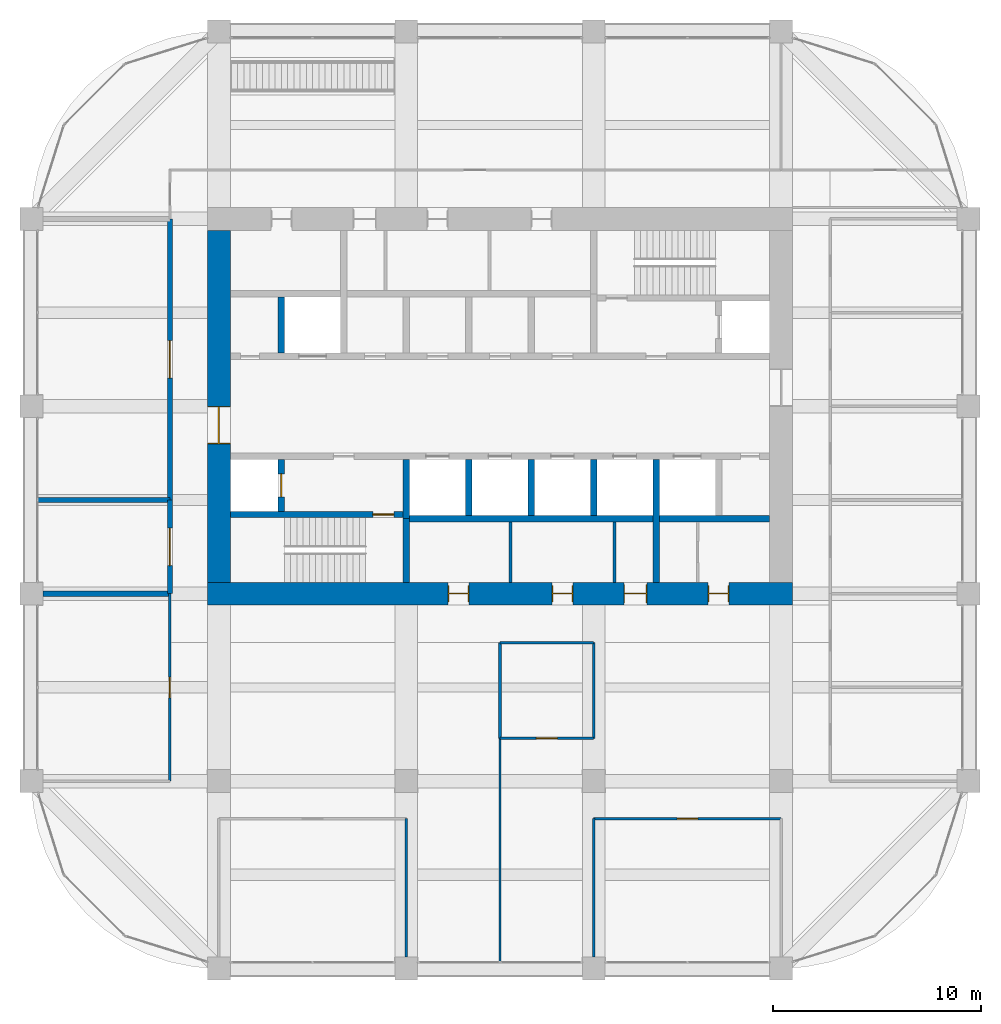
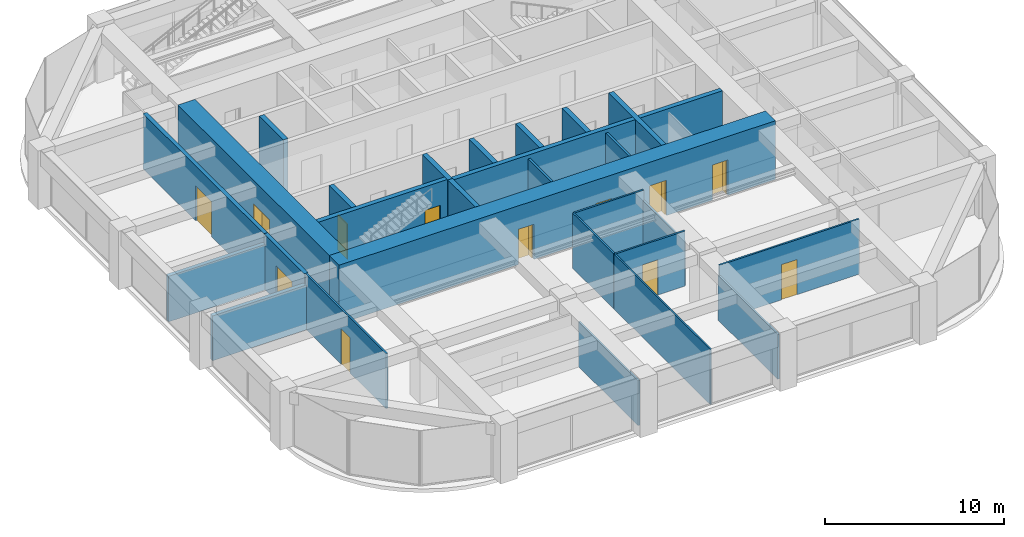
# One storey, part 41 of 44: 27 walls, 12 doors, 12 openings.
"""IFC4 building model written with IfcOpenShell, lengths in metres."""

from ifc_helpers import new_model, si_unit, direction, frame, frame_2d, origin, place, context, subcontext, project, spatial, rectangle, extrude, material, layer, layer_set, type_object, element, fill, save


model = new_model("IFC4")

# Units and contexts
model_context = context("Model", 3, precision=1e-05, world=origin(), true_north=direction((0.0, 1.0)))
body_context = subcontext(model_context, "Body", "Model", "MODEL_VIEW")
ifc_project = project(units=[si_unit("LENGTHUNIT", "METRE"), si_unit("AREAUNIT", "SQUARE_METRE"), si_unit("VOLUMEUNIT", "CUBIC_METRE"), si_unit("PLANEANGLEUNIT", "RADIAN"), si_unit("MASSUNIT", "GRAM", prefix="KILO")], contexts=[model_context])

# Site, building, storey
site_placement = place(None, origin())
site = spatial("IfcSite", under=ifc_project, at=site_placement, CompositionType="ELEMENT")
building_placement = place(site_placement, origin())
building = spatial("IfcBuilding", under=site, at=building_placement, Name="Zorevar Civic Tower", CompositionType="ELEMENT")
storey_placement = place(building_placement, frame((0.0, 0.0, 271.39990234375)))
storey = spatial("IfcBuildingStorey", under=building, at=storey_placement, Name="L66", CompositionType="ELEMENT", Elevation=271.39990234375)

# Walls
ifc_material_1 = material(Name="Twin-stud acoustic wall, gypsum board")
ifc_layer_1 = layer(ifc_material_1, 0.25)
ifc_layer_set_1 = layer_set([ifc_layer_1], Name="Acoustic wall 250")
wall_type_1 = type_object("IfcWallType", Name="Acoustic wall 250", PredefinedType="PARTITIONING", material=ifc_layer_set_1)
wall_1_placement = place(storey_placement, frame((9.550048828125, 18.0, 0.0), z_axis=(0.0, 0.0, 1.0), x_axis=(1.0, 0.0, 0.0)))
element("IfcWall", 1, at=wall_1_placement, inside=storey, type_object=wall_type_1, Name="Acoustic wall 250 L66", PredefinedType="PARTITIONING", context=body_context, shape_type="SweptSolid", body=[
    extrude(rectangle(XDim=6.099853515625, YDim=0.25, at=frame_2d((3.0498046875, 0.0))), origin(), (0.0, 0.0, 1.0), 3.050048828125),
])
wall_2_placement = place(storey_placement, frame((9.31005859375, 22.5, 0.0), z_axis=(0.0, 0.0, 1.0), x_axis=(1.0, 0.0, 0.0)))
element("IfcWall", 2, at=wall_2_placement, inside=storey, type_object=wall_type_1, Name="Acoustic wall 250 L66", PredefinedType="PARTITIONING", context=body_context, shape_type="SweptSolid", body=[
    extrude(rectangle(XDim=6.33984375, YDim=0.25, at=frame_2d((3.169921875, 0.0))), origin(), (0.0, 0.0, 1.0), 3.10009765625),
])

# Wall, opening, door
wall_3_placement = place(storey_placement, frame((15.64990234375, 18.0, 0.0), z_axis=(0.0, 0.0, 1.0), x_axis=(0.0, 1.0, 0.0)))
wall_3 = element("IfcWall", 3, at=wall_3_placement, inside=storey, type_object=wall_type_1, Name="Acoustic wall 250 L66", PredefinedType="PARTITIONING", context=body_context, shape_type="SweptSolid", body=[
    extrude(rectangle(XDim=4.5, YDim=0.25, at=frame_2d((2.25, 0.0))), origin(), (0.0, 0.0, 1.0), 3.75),
])
opening_1_placement = place(wall_3_placement, frame((1.35009765625, 0.0, 0.0)))
opening_1 = element("IfcOpeningElement", 4, at=opening_1_placement, cuts=wall_3, Name="Opening L66.22", PredefinedType="OPENING", context=body_context, shape_type="SweptSolid", body=[
    extrude(rectangle(XDim=1.800048828125, YDim=2.39990234375, at=frame_2d((0.89990234375, 1.199951171875))), frame((0.0, 0.135009765625, 0.0), z_axis=(0.0, -1.0, 0.0), x_axis=(1.0, 0.0, 0.0)), (0.0, 0.0, 1.0), 0.27001953125),
])
ifc_material_2 = material(Name="Steel door set", Category="steel")
door_type_1 = type_object("IfcDoorType", Name="Door D2 1800x2400", OperationType="DOUBLE_DOOR_SINGLE_SWING", PredefinedType="DOOR", material=ifc_material_2)
door_1_placement = place(opening_1_placement, origin())
door_1 = element("IfcDoor", 5, at=door_1_placement, inside=storey, type_object=door_type_1, Name="Door L66 D1", OperationType="DOUBLE_DOOR_SINGLE_SWING", OverallHeight=2.39990234375, OverallWidth=1.800048828125, PredefinedType="DOOR", context=body_context, shape_type="SweptSolid", body=[
    extrude(rectangle(XDim=1.800048828125, YDim=2.39990234375, at=frame_2d((0.89990234375, 1.199951171875))), frame((0.0, 0.02490234375, 0.0), z_axis=(0.0, -1.0, 0.0), x_axis=(1.0, 0.0, 0.0)), (0.0, 0.0, 1.0), 0.050048828125),
])
fill(opening_1, door_1)

wall_4_placement = place(storey_placement, frame((15.64990234375, 22.5, 0.0), z_axis=(0.0, 0.0, 1.0), x_axis=(0.0, 1.0, 0.0)))
wall_4 = element("IfcWall", 6, at=wall_4_placement, inside=storey, type_object=wall_type_1, Name="Acoustic wall 250 L66", PredefinedType="PARTITIONING", context=body_context, shape_type="SweptSolid", body=[
    extrude(rectangle(XDim=13.5, YDim=0.25, at=frame_2d((6.75, 0.0))), origin(), (0.0, 0.0, 1.0), 3.75),
])
opening_2_placement = place(wall_4_placement, frame((5.85009765625, 0.0, 0.0)))
opening_2 = element("IfcOpeningElement", 7, at=opening_2_placement, cuts=wall_4, Name="Opening L66.23", PredefinedType="OPENING", context=body_context, shape_type="SweptSolid", body=[
    extrude(rectangle(XDim=1.800048828125, YDim=2.39990234375, at=frame_2d((0.89990234375, 1.199951171875))), frame((0.0, 0.135009765625, 0.0), z_axis=(0.0, -1.0, 0.0), x_axis=(1.0, 0.0, 0.0)), (0.0, 0.0, 1.0), 0.27001953125),
])
door_2_placement = place(opening_2_placement, origin())
door_2 = element("IfcDoor", 8, at=door_2_placement, inside=storey, type_object=door_type_1, Name="Door L66 D1", OperationType="DOUBLE_DOOR_SINGLE_SWING", OverallHeight=2.39990234375, OverallWidth=1.800048828125, PredefinedType="DOOR", context=body_context, shape_type="SweptSolid", body=[
    extrude(rectangle(XDim=1.800048828125, YDim=2.39990234375, at=frame_2d((0.89990234375, 1.199951171875))), frame((0.0, 0.02490234375, 0.0), z_axis=(0.0, -1.0, 0.0), x_axis=(1.0, 0.0, 0.0)), (0.0, 0.0, 1.0), 0.050048828125),
])
fill(opening_2, door_2)

# Wall, openings, doors
ifc_material_3 = material(Name="Concrete C50/60", Category="concrete")
ifc_layer_2 = layer(ifc_material_3, 1.10009765625)
ifc_layer_set_2 = layer_set([ifc_layer_2], Name="Core wall 1100")
wall_type_2 = type_object("IfcWallType", Name="Core wall 1100", PredefinedType="SHEAR", material=ifc_layer_set_2)
wall_5_placement = place(storey_placement, frame((17.449951171875, 18.0, 0.0), z_axis=(0.0, 0.0, 1.0), x_axis=(1.0, 0.0, 0.0)))
wall_5 = element("IfcWall", 9, at=wall_5_placement, inside=storey, type_object=wall_type_2, Name="Core wall S L66", PredefinedType="SHEAR", context=body_context, shape_type="SweptSolid", body=[
    extrude(rectangle(XDim=28.10009765625, YDim=1.10009765625, at=frame_2d((14.050048828125, 0.0))), origin(), (0.0, 0.0, 1.0), 4.0),
])
opening_3_placement = place(wall_5_placement, frame((11.550048828125, 0.0, 0.0)))
opening_3 = element("IfcOpeningElement", 10, at=opening_3_placement, cuts=wall_5, Name="Opening L66.03", PredefinedType="OPENING", context=body_context, shape_type="SweptSolid", body=[
    extrude(rectangle(XDim=1.0, YDim=2.39990234375, at=frame_2d((0.5, 1.199951171875))), frame((0.0, 0.56005859375, 0.0), z_axis=(0.0, -1.0, 0.0), x_axis=(1.0, 0.0, 0.0)), (0.0, 0.0, 1.0), 1.1201171875),
])
opening_4_placement = place(wall_5_placement, frame((16.550048828125, 0.0, 0.0)))
opening_4 = element("IfcOpeningElement", 11, at=opening_4_placement, cuts=wall_5, Name="Opening L66.04", PredefinedType="OPENING", context=body_context, shape_type="SweptSolid", body=[
    extrude(rectangle(XDim=1.0, YDim=2.39990234375, at=frame_2d((0.5, 1.199951171875))), frame((0.0, 0.56005859375, 0.0), z_axis=(0.0, -1.0, 0.0), x_axis=(1.0, 0.0, 0.0)), (0.0, 0.0, 1.0), 1.1201171875),
])
opening_5_placement = place(wall_5_placement, frame((20.0, 0.0, 0.0)))
opening_5 = element("IfcOpeningElement", 12, at=opening_5_placement, cuts=wall_5, Name="Opening L66.05", PredefinedType="OPENING", context=body_context, shape_type="SweptSolid", body=[
    extrude(rectangle(XDim=1.10009765625, YDim=2.39990234375, at=frame_2d((0.550048828125, 1.199951171875))), frame((0.0, 0.56005859375, 0.0), z_axis=(0.0, -1.0, 0.0), x_axis=(1.0, 0.0, 0.0)), (0.0, 0.0, 1.0), 1.1201171875),
])
opening_6_placement = place(wall_5_placement, frame((24.050048828125, 0.0, 0.0)))
opening_6 = element("IfcOpeningElement", 13, at=opening_6_placement, cuts=wall_5, Name="Opening L66.06", PredefinedType="OPENING", context=body_context, shape_type="SweptSolid", body=[
    extrude(rectangle(XDim=1.0, YDim=2.39990234375, at=frame_2d((0.5, 1.199951171875))), frame((0.0, 0.56005859375, 0.0), z_axis=(0.0, -1.0, 0.0), x_axis=(1.0, 0.0, 0.0)), (0.0, 0.0, 1.0), 1.1201171875),
])
ifc_material_4 = material(Name="Timber door set", Category="wood")
door_type_2 = type_object("IfcDoorType", Name="Door D1 1000x2400", OperationType="SINGLE_SWING_LEFT", PredefinedType="DOOR", material=ifc_material_4)
door_3_placement = place(opening_3_placement, origin())
door_3 = element("IfcDoor", 14, at=door_3_placement, inside=storey, type_object=door_type_2, Name="Door L66 02", OperationType="SINGLE_SWING_LEFT", OverallHeight=2.39990234375, OverallWidth=1.0, PredefinedType="DOOR", context=body_context, shape_type="SweptSolid", body=[
    extrude(rectangle(XDim=1.0, YDim=2.39990234375, at=frame_2d((0.5, 1.199951171875))), frame((0.0, 0.02490234375, 0.0), z_axis=(0.0, -1.0, 0.0), x_axis=(1.0, 0.0, 0.0)), (0.0, 0.0, 1.0), 0.050048828125),
    extrude(rectangle(XDim=0.04, YDim=2.39990234375, at=frame_2d((0.02001953125, 1.199951171875))), frame((0.0, 0.39990234375, 0.0), z_axis=(0.0, -1.0, 0.0), x_axis=(1.0, 0.0, 0.0)), (0.0, 0.0, 1.0), 0.800048828125),
    extrude(rectangle(XDim=0.04, YDim=2.39990234375, at=frame_2d((0.97998046875, 1.199951171875))), frame((0.0, 0.39990234375, 0.0), z_axis=(0.0, -1.0, 0.0), x_axis=(1.0, 0.0, 0.0)), (0.0, 0.0, 1.0), 0.800048828125),
    extrude(rectangle(XDim=1.0, YDim=0.04, at=frame_2d((0.5, 2.3798828125))), frame((0.0, 0.39990234375, 0.0), z_axis=(0.0, -1.0, 0.0), x_axis=(1.0, 0.0, 0.0)), (0.0, 0.0, 1.0), 0.800048828125),
])
fill(opening_3, door_3)
door_4_placement = place(opening_4_placement, origin())
door_4 = element("IfcDoor", 15, at=door_4_placement, inside=storey, type_object=door_type_2, Name="Door L66 03", OperationType="SINGLE_SWING_RIGHT", OverallHeight=2.39990234375, OverallWidth=1.0, PredefinedType="DOOR", context=body_context, shape_type="SweptSolid", body=[
    extrude(rectangle(XDim=1.0, YDim=2.39990234375, at=frame_2d((0.5, 1.199951171875))), frame((0.0, 0.02490234375, 0.0), z_axis=(0.0, -1.0, 0.0), x_axis=(1.0, 0.0, 0.0)), (0.0, 0.0, 1.0), 0.050048828125),
    extrude(rectangle(XDim=0.04, YDim=2.39990234375, at=frame_2d((0.02001953125, 1.199951171875))), frame((0.0, 0.39990234375, 0.0), z_axis=(0.0, -1.0, 0.0), x_axis=(1.0, 0.0, 0.0)), (0.0, 0.0, 1.0), 0.800048828125),
    extrude(rectangle(XDim=0.04, YDim=2.39990234375, at=frame_2d((0.97998046875, 1.199951171875))), frame((0.0, 0.39990234375, 0.0), z_axis=(0.0, -1.0, 0.0), x_axis=(1.0, 0.0, 0.0)), (0.0, 0.0, 1.0), 0.800048828125),
    extrude(rectangle(XDim=1.0, YDim=0.04, at=frame_2d((0.5, 2.3798828125))), frame((0.0, 0.39990234375, 0.0), z_axis=(0.0, -1.0, 0.0), x_axis=(1.0, 0.0, 0.0)), (0.0, 0.0, 1.0), 0.800048828125),
])
fill(opening_4, door_4)
door_5_placement = place(opening_6_placement, origin())
door_5 = element("IfcDoor", 16, at=door_5_placement, inside=storey, type_object=door_type_2, Name="Door L66 05", OperationType="SINGLE_SWING_RIGHT", OverallHeight=2.39990234375, OverallWidth=1.0, PredefinedType="DOOR", context=body_context, shape_type="SweptSolid", body=[
    extrude(rectangle(XDim=1.0, YDim=2.39990234375, at=frame_2d((0.5, 1.199951171875))), frame((0.0, 0.02490234375, 0.0), z_axis=(0.0, -1.0, 0.0), x_axis=(1.0, 0.0, 0.0)), (0.0, 0.0, 1.0), 0.050048828125),
    extrude(rectangle(XDim=0.04, YDim=2.39990234375, at=frame_2d((0.02001953125, 1.199951171875))), frame((0.0, 0.39990234375, 0.0), z_axis=(0.0, -1.0, 0.0), x_axis=(1.0, 0.0, 0.0)), (0.0, 0.0, 1.0), 0.800048828125),
    extrude(rectangle(XDim=0.04, YDim=2.39990234375, at=frame_2d((0.97998046875, 1.199951171875))), frame((0.0, 0.39990234375, 0.0), z_axis=(0.0, -1.0, 0.0), x_axis=(1.0, 0.0, 0.0)), (0.0, 0.0, 1.0), 0.800048828125),
    extrude(rectangle(XDim=1.0, YDim=0.04, at=frame_2d((0.5, 2.3798828125))), frame((0.0, 0.39990234375, 0.0), z_axis=(0.0, -1.0, 0.0), x_axis=(1.0, 0.0, 0.0)), (0.0, 0.0, 1.0), 0.800048828125),
])
fill(opening_6, door_5)
ifc_material_5 = material(Name="Timber door set", Category="wood")
door_type_3 = type_object("IfcDoorType", Name="Door D5 1100x2400", OperationType="SINGLE_SWING_LEFT", PredefinedType="DOOR", material=ifc_material_5)
door_6_placement = place(opening_5_placement, origin())
door_6 = element("IfcDoor", 17, at=door_6_placement, inside=storey, type_object=door_type_3, Name="Door L66 04", OperationType="SINGLE_SWING_RIGHT", OverallHeight=2.39990234375, OverallWidth=1.10009765625, PredefinedType="DOOR", context=body_context, shape_type="SweptSolid", body=[
    extrude(rectangle(XDim=1.10009765625, YDim=2.39990234375, at=frame_2d((0.550048828125, 1.199951171875))), frame((0.0, 0.02490234375, 0.0), z_axis=(0.0, -1.0, 0.0), x_axis=(1.0, 0.0, 0.0)), (0.0, 0.0, 1.0), 0.050048828125),
    extrude(rectangle(XDim=0.04, YDim=2.39990234375, at=frame_2d((0.02001953125, 1.199951171875))), frame((0.0, 0.43994140625, 0.0), z_axis=(0.0, -1.0, 0.0), x_axis=(1.0, 0.0, 0.0)), (0.0, 0.0, 1.0), 0.880126953125),
    extrude(rectangle(XDim=0.04, YDim=2.39990234375, at=frame_2d((1.080078125, 1.199951171875))), frame((0.0, 0.43994140625, 0.0), z_axis=(0.0, -1.0, 0.0), x_axis=(1.0, 0.0, 0.0)), (0.0, 0.0, 1.0), 0.880126953125),
    extrude(rectangle(XDim=1.10009765625, YDim=0.04, at=frame_2d((0.550048828125, 2.3798828125))), frame((0.0, 0.43994140625, 0.0), z_axis=(0.0, -1.0, 0.0), x_axis=(1.0, 0.0, 0.0)), (0.0, 0.0, 1.0), 0.880126953125),
])
fill(opening_5, door_6)

# Wall, opening, door
wall_6_placement = place(storey_placement, frame((18.0, 35.449951171875, 0.0), z_axis=(0.0, 0.0, 1.0), x_axis=(0.0, -1.0, 0.0)))
wall_6 = element("IfcWall", 18, at=wall_6_placement, inside=storey, type_object=wall_type_2, Name="Core wall W L66", PredefinedType="SHEAR", context=body_context, shape_type="SweptSolid", body=[
    extrude(rectangle(XDim=16.89990234375, YDim=1.10009765625, at=frame_2d((8.449951171875, 0.0))), origin(), (0.0, 0.0, 1.0), 4.0),
])
opening_7_placement = place(wall_6_placement, frame((8.449951171875, 0.0, 0.0)))
opening_7 = element("IfcOpeningElement", 19, at=opening_7_placement, cuts=wall_6, Name="Opening L66.01", PredefinedType="OPENING", context=body_context, shape_type="SweptSolid", body=[
    extrude(rectangle(XDim=1.800048828125, YDim=2.39990234375, at=frame_2d((0.89990234375, 1.199951171875))), frame((0.0, 0.56005859375, 0.0), z_axis=(0.0, -1.0, 0.0), x_axis=(1.0, 0.0, 0.0)), (0.0, 0.0, 1.0), 1.1201171875),
])
ifc_material_6 = material(Name="Steel door set", Category="steel")
door_type_4 = type_object("IfcDoorType", Name="Fire door FD2 1800x2400", OperationType="DOUBLE_DOOR_DOUBLE_SWING", PredefinedType="DOOR", material=ifc_material_6)
door_7_placement = place(opening_7_placement, origin())
door_7 = element("IfcDoor", 20, at=door_7_placement, inside=storey, type_object=door_type_4, Name="Door L66 00", OperationType="DOUBLE_DOOR_DOUBLE_SWING", OverallHeight=2.39990234375, OverallWidth=1.800048828125, PredefinedType="DOOR", context=body_context, shape_type="SweptSolid", body=[
    extrude(rectangle(XDim=1.800048828125, YDim=2.39990234375, at=frame_2d((0.89990234375, 1.199951171875))), frame((0.0, 0.030029296875, 0.0), z_axis=(0.0, -1.0, 0.0), x_axis=(1.0, 0.0, 0.0)), (0.0, 0.0, 1.0), 0.06005859375),
    extrude(rectangle(XDim=0.04, YDim=2.39990234375, at=frame_2d((0.02001953125, 1.199951171875))), frame((0.0, 0.5498046875, 0.0), z_axis=(0.0, -1.0, 0.0), x_axis=(1.0, 0.0, 0.0)), (0.0, 0.0, 1.0), 1.099609375),
    extrude(rectangle(XDim=0.04, YDim=2.39990234375, at=frame_2d((1.780029296875, 1.199951171875))), frame((0.0, 0.5498046875, 0.0), z_axis=(0.0, -1.0, 0.0), x_axis=(1.0, 0.0, 0.0)), (0.0, 0.0, 1.0), 1.099609375),
    extrude(rectangle(XDim=1.800048828125, YDim=0.04, at=frame_2d((0.89990234375, 2.3798828125))), frame((0.0, 0.5498046875, 0.0), z_axis=(0.0, -1.0, 0.0), x_axis=(1.0, 0.0, 0.0)), (0.0, 0.0, 1.0), 1.099609375),
])
fill(opening_7, door_7)

# Wall
ifc_material_7 = material(Name="Laminated glass in black aluminium frame", Category="aluminium")
ifc_layer_3 = layer(ifc_material_7, 0.10009765625)
ifc_layer_set_3 = layer_set([ifc_layer_3], Name="Glazed partition 100")
wall_type_3 = type_object("IfcWallType", Name="Glazed partition 100", PredefinedType="PARTITIONING", material=ifc_layer_set_3)
wall_7_placement = place(storey_placement, frame((31.5, 0.31005859375, 0.0), z_axis=(0.0, 0.0, 1.0), x_axis=(0.0, 1.0, 0.0)))
element("IfcWall", 21, at=wall_7_placement, inside=storey, type_object=wall_type_3, Name="Glazed partition 100 L66", PredefinedType="PARTITIONING", context=body_context, shape_type="SweptSolid", body=[
    extrude(rectangle(XDim=10.739990234375, YDim=0.10009765625, at=frame_2d((5.3701171875, 0.0))), origin(), (0.0, 0.0, 1.0), 3.75),
])

# Wall, opening, door
ifc_material_8 = material(Name="Concrete C40/50", Category="concrete")
ifc_layer_4 = layer(ifc_material_8, 0.300048828125)
ifc_layer_set_4 = layer_set([ifc_layer_4], Name="Inner core wall 300")
wall_type_4 = type_object("IfcWallType", Name="Inner core wall 300", PredefinedType="SHEAR", material=ifc_layer_set_4)
wall_8_placement = place(storey_placement, frame((18.550048828125, 21.800048828125, 0.0), z_axis=(0.0, 0.0, 1.0), x_axis=(1.0, 0.0, 0.0)))
wall_8 = element("IfcWall", 22, at=wall_8_placement, inside=storey, type_object=wall_type_4, Name="Inner core wall S00 L66", PredefinedType="SHEAR", context=body_context, shape_type="SweptSolid", body=[
    extrude(rectangle(XDim=8.300048828125, YDim=0.300048828125, at=frame_2d((4.14990234375, 0.0))), origin(), (0.0, 0.0, 1.0), 4.0),
])
opening_8_placement = place(wall_8_placement, frame((6.85009765625, 0.0, 0.0)))
opening_8 = element("IfcOpeningElement", 23, at=opening_8_placement, cuts=wall_8, Name="Opening L66.11", PredefinedType="OPENING", context=body_context, shape_type="SweptSolid", body=[
    extrude(rectangle(XDim=1.0, YDim=2.39990234375, at=frame_2d((0.5, 1.199951171875))), frame((0.0, 0.159912109375, 0.0), z_axis=(0.0, -1.0, 0.0), x_axis=(1.0, 0.0, 0.0)), (0.0, 0.0, 1.0), 0.320068359375),
])
ifc_material_9 = material(Name="Steel door set", Category="steel")
door_type_5 = type_object("IfcDoorType", Name="Fire door FD1 1000x2400", OperationType="SINGLE_SWING_LEFT", PredefinedType="DOOR", material=ifc_material_9)
door_8_placement = place(opening_8_placement, origin())
door_8 = element("IfcDoor", 24, at=door_8_placement, inside=storey, type_object=door_type_5, Name="Door L66 10", OperationType="SINGLE_SWING_RIGHT", OverallHeight=2.39990234375, OverallWidth=1.0, PredefinedType="DOOR", context=body_context, shape_type="SweptSolid", body=[
    extrude(rectangle(XDim=1.0, YDim=2.39990234375, at=frame_2d((0.5, 1.199951171875))), frame((0.0, 0.030029296875, 0.0), z_axis=(0.0, -1.0, 0.0), x_axis=(1.0, 0.0, 0.0)), (0.0, 0.0, 1.0), 0.06005859375),
])
fill(opening_8, door_8)

# Wall
wall_9_placement = place(storey_placement, frame((27.0, 18.550048828125, 0.0), z_axis=(0.0, 0.0, 1.0), x_axis=(0.0, 1.0, 0.0)))
element("IfcWall", 25, at=wall_9_placement, inside=storey, type_object=wall_type_4, Name="Inner core wall S01 L66", PredefinedType="SHEAR", context=body_context, shape_type="SweptSolid", body=[
    extrude(rectangle(XDim=3.050048828125, YDim=0.300048828125, at=frame_2d((1.52490234375, 0.0))), origin(), (0.0, 0.0, 1.0), 4.0),
])

# Wall, opening, door
wall_10_placement = place(storey_placement, frame((21.0, 21.949951171875, 0.0), z_axis=(0.0, 0.0, 1.0), x_axis=(0.0, 1.0, 0.0)))
wall_10 = element("IfcWall", 26, at=wall_10_placement, inside=storey, type_object=wall_type_4, Name="Inner core wall S02 L66", PredefinedType="SHEAR", context=body_context, shape_type="SweptSolid", body=[
    extrude(rectangle(XDim=2.5, YDim=0.300048828125, at=frame_2d((1.25, 0.0))), origin(), (0.0, 0.0, 1.0), 4.0),
])
opening_9_placement = place(wall_10_placement, frame((0.699951171875, 0.0, 0.0)))
opening_9 = element("IfcOpeningElement", 27, at=opening_9_placement, cuts=wall_10, Name="Opening L66.FL1", PredefinedType="OPENING", context=body_context, shape_type="SweptSolid", body=[
    extrude(rectangle(XDim=1.10009765625, YDim=2.39990234375, at=frame_2d((0.550048828125, 1.199951171875))), frame((0.0, 0.159912109375, 0.0), z_axis=(0.0, -1.0, 0.0), x_axis=(1.0, 0.0, 0.0)), (0.0, 0.0, 1.0), 0.320068359375),
])
ifc_material_10 = material(Name="Steel door set", Category="steel")
door_type_6 = type_object("IfcDoorType", Name="Firefighting lift landing door LD3 1100x2400", OperationType="DOUBLE_DOOR_SLIDING", PredefinedType="DOOR", material=ifc_material_10)
door_9_placement = place(opening_9_placement, origin())
door_9 = element("IfcDoor", 28, at=door_9_placement, inside=storey, type_object=door_type_6, Name="Landing door FL1 L66", OperationType="DOUBLE_DOOR_SLIDING", OverallHeight=2.39990234375, OverallWidth=1.10009765625, PredefinedType="DOOR", context=body_context, shape_type="SweptSolid", body=[
    extrude(rectangle(XDim=1.10009765625, YDim=2.39990234375, at=frame_2d((0.550048828125, 1.199951171875))), frame((0.0, 0.030029296875, 0.0), z_axis=(0.0, -1.0, 0.0), x_axis=(1.0, 0.0, 0.0)), (0.0, 0.0, 1.0), 0.06005859375),
])
fill(opening_9, door_9)

# Walls
wall_11_placement = place(storey_placement, frame((27.14990234375, 21.60009765625, 0.0), z_axis=(0.0, 0.0, 1.0), x_axis=(1.0, 0.0, 0.0)))
element("IfcWall", 29, at=wall_11_placement, inside=storey, type_object=wall_type_4, Name="Inner core wall S04 L66", PredefinedType="SHEAR", context=body_context, shape_type="SweptSolid", body=[
    extrude(rectangle(XDim=17.300048828125, YDim=0.300048828125, at=frame_2d((8.64990234375, 0.0))), origin(), (0.0, 0.0, 1.0), 4.0),
])
for number, where, z_axis, x_axis, name in (
    (30, (30.0, 21.75, 0.0), (0.0, 0.0, 1.0), (0.0, 1.0, 0.0), "Inner core wall S05 L66"),
    (31, (33.0, 21.75, 0.0), (0.0, 0.0, 1.0), (0.0, 1.0, 0.0), "Inner core wall S06 L66"),
    (32, (36.0, 21.75, 0.0), (0.0, 0.0, 1.0), (0.0, 1.0, 0.0), "Inner core wall S07 L66"),
):
    element("IfcWall", number, at=place(storey_placement, frame(where, z_axis=z_axis, x_axis=x_axis)), inside=storey, type_object=wall_type_4, Name=name, PredefinedType="SHEAR", context=body_context, shape_type="SweptSolid", body=[
        extrude(rectangle(XDim=2.699951171875, YDim=0.300048828125, at=frame_2d((1.35009765625, 0.0))), origin(), (0.0, 0.0, 1.0), 4.0),
    ])
wall_12_placement = place(storey_placement, frame((39.0, 18.550048828125, 0.0), z_axis=(0.0, 0.0, 1.0), x_axis=(0.0, 1.0, 0.0)))
element("IfcWall", 33, at=wall_12_placement, inside=storey, type_object=wall_type_4, Name="Inner core wall S08 L66", PredefinedType="SHEAR", context=body_context, shape_type="SweptSolid", body=[
    extrude(rectangle(XDim=5.89990234375, YDim=0.300048828125, at=frame_2d((2.949951171875, 0.0))), origin(), (0.0, 0.0, 1.0), 4.0),
])
wall_13_placement = place(storey_placement, frame((21.0, 29.550048828125, 0.0), z_axis=(0.0, 0.0, 1.0), x_axis=(0.0, 1.0, 0.0)))
element("IfcWall", 34, at=wall_13_placement, inside=storey, type_object=wall_type_4, Name="Inner core wall N09 L66", PredefinedType="SHEAR", context=body_context, shape_type="SweptSolid", body=[
    extrude(rectangle(XDim=2.699951171875, YDim=0.300048828125, at=frame_2d((1.35009765625, 0.0))), origin(), (0.0, 0.0, 1.0), 4.0),
])
wall_14_placement = place(storey_placement, frame((27.0, 21.60009765625, 0.0), z_axis=(0.0, 0.0, 1.0), x_axis=(0.0, 1.0, 0.0)))
element("IfcWall", 35, at=wall_14_placement, inside=storey, type_object=wall_type_4, Name="Inner core wall S10 L66", PredefinedType="SHEAR", context=body_context, shape_type="SweptSolid", body=[
    extrude(rectangle(XDim=2.849853515625, YDim=0.300048828125, at=frame_2d((1.4248046875, 0.0))), origin(), (0.0, 0.0, 1.0), 4.0),
])

# Wall, opening, door
ifc_material_11 = material(Name="Gypsum board on steel studs", Category="steel")
ifc_layer_5 = layer(ifc_material_11, 0.1201171875)
ifc_layer_set_5 = layer_set([ifc_layer_5], Name="Partition 120")
wall_type_5 = type_object("IfcWallType", Name="Partition 120", PredefinedType="PARTITIONING", material=ifc_layer_set_5)
wall_15_placement = place(storey_placement, frame((36.0, 7.199951171875, 0.0), z_axis=(0.0, 0.0, 1.0), x_axis=(1.0, 0.0, 0.0)))
wall_15 = element("IfcWall", 36, at=wall_15_placement, inside=storey, type_object=wall_type_5, Name="Partition 120 L66", PredefinedType="PARTITIONING", context=body_context, shape_type="SweptSolid", body=[
    extrude(rectangle(XDim=9.0, YDim=0.1201171875, at=frame_2d((4.5, 0.0))), origin(), (0.0, 0.0, 1.0), 3.75),
])
opening_10_placement = place(wall_15_placement, frame((4.0, 0.0, 0.0)))
opening_10 = element("IfcOpeningElement", 37, at=opening_10_placement, cuts=wall_15, Name="Opening L66.18", PredefinedType="OPENING", context=body_context, shape_type="SweptSolid", body=[
    extrude(rectangle(XDim=1.0, YDim=2.39990234375, at=frame_2d((0.5, 1.199951171875))), frame((0.0, 0.070068359375, 0.0), z_axis=(0.0, -1.0, 0.0), x_axis=(1.0, 0.0, 0.0)), (0.0, 0.0, 1.0), 0.14013671875),
])
door_10_placement = place(opening_10_placement, origin())
door_10 = element("IfcDoor", 38, at=door_10_placement, inside=storey, type_object=door_type_2, Name="Door L66 D1", OperationType="SINGLE_SWING_RIGHT", OverallHeight=2.39990234375, OverallWidth=1.0, PredefinedType="DOOR", context=body_context, shape_type="SweptSolid", body=[
    extrude(rectangle(XDim=1.0, YDim=2.39990234375, at=frame_2d((0.5, 1.199951171875))), frame((0.0, 0.02490234375, 0.0), z_axis=(0.0, -1.0, 0.0), x_axis=(1.0, 0.0, 0.0)), (0.0, 0.0, 1.0), 0.050048828125),
])
fill(opening_10, door_10)

wall_16_placement = place(storey_placement, frame((31.5, 11.050048828125, 0.0), z_axis=(0.0, 0.0, 1.0), x_axis=(1.0, 0.0, 0.0)))
wall_16 = element("IfcWall", 39, at=wall_16_placement, inside=storey, type_object=wall_type_5, Name="Partition 120 L66", PredefinedType="PARTITIONING", context=body_context, shape_type="SweptSolid", body=[
    extrude(rectangle(XDim=4.5, YDim=0.1201171875, at=frame_2d((2.25, 0.0))), origin(), (0.0, 0.0, 1.0), 3.75),
])
opening_11_placement = place(wall_16_placement, frame((1.75, 0.0, 0.0)))
opening_11 = element("IfcOpeningElement", 40, at=opening_11_placement, cuts=wall_16, Name="Opening L66.19", PredefinedType="OPENING", context=body_context, shape_type="SweptSolid", body=[
    extrude(rectangle(XDim=1.0, YDim=2.39990234375, at=frame_2d((0.5, 1.199951171875))), frame((0.0, 0.070068359375, 0.0), z_axis=(0.0, -1.0, 0.0), x_axis=(1.0, 0.0, 0.0)), (0.0, 0.0, 1.0), 0.14013671875),
])
door_11_placement = place(opening_11_placement, origin())
door_11 = element("IfcDoor", 41, at=door_11_placement, inside=storey, type_object=door_type_2, Name="Door L66 D1", OperationType="SINGLE_SWING_LEFT", OverallHeight=2.39990234375, OverallWidth=1.0, PredefinedType="DOOR", context=body_context, shape_type="SweptSolid", body=[
    extrude(rectangle(XDim=1.0, YDim=2.39990234375, at=frame_2d((0.5, 1.199951171875))), frame((0.0, 0.02490234375, 0.0), z_axis=(0.0, -1.0, 0.0), x_axis=(1.0, 0.0, 0.0)), (0.0, 0.0, 1.0), 0.050048828125),
])
fill(opening_11, door_11)

# Wall
wall_17_placement = place(storey_placement, frame((31.5, 15.64990234375, 0.0), z_axis=(0.0, 0.0, 1.0), x_axis=(1.0, 0.0, 0.0)))
element("IfcWall", 42, at=wall_17_placement, inside=storey, type_object=wall_type_5, Name="Partition 120 L66", PredefinedType="PARTITIONING", context=body_context, shape_type="SweptSolid", body=[
    extrude(rectangle(XDim=4.5, YDim=0.1201171875, at=frame_2d((2.25, 0.0))), origin(), (0.0, 0.0, 1.0), 3.75),
])

# Wall, opening, door
wall_18_placement = place(storey_placement, frame((15.64990234375, 9.0, 0.0), z_axis=(0.0, 0.0, 1.0), x_axis=(0.0, 1.0, 0.0)))
wall_18 = element("IfcWall", 43, at=wall_18_placement, inside=storey, type_object=wall_type_5, Name="Partition 120 L66", PredefinedType="PARTITIONING", context=body_context, shape_type="SweptSolid", body=[
    extrude(rectangle(XDim=9.0, YDim=0.1201171875, at=frame_2d((4.5, 0.0))), origin(), (0.0, 0.0, 1.0), 3.75),
])
opening_12_placement = place(wall_18_placement, frame((4.0, 0.0, 0.0)))
opening_12 = element("IfcOpeningElement", 44, at=opening_12_placement, cuts=wall_18, Name="Opening L66.24", PredefinedType="OPENING", context=body_context, shape_type="SweptSolid", body=[
    extrude(rectangle(XDim=1.0, YDim=2.39990234375, at=frame_2d((0.5, 1.199951171875))), frame((0.0, 0.070068359375, 0.0), z_axis=(0.0, -1.0, 0.0), x_axis=(1.0, 0.0, 0.0)), (0.0, 0.0, 1.0), 0.14013671875),
])
door_12_placement = place(opening_12_placement, origin())
door_12 = element("IfcDoor", 45, at=door_12_placement, inside=storey, type_object=door_type_2, Name="Door L66 D1", OperationType="SINGLE_SWING_RIGHT", OverallHeight=2.39990234375, OverallWidth=1.0, PredefinedType="DOOR", context=body_context, shape_type="SweptSolid", body=[
    extrude(rectangle(XDim=1.0, YDim=2.39990234375, at=frame_2d((0.5, 1.199951171875))), frame((0.0, 0.02490234375, 0.0), z_axis=(0.0, -1.0, 0.0), x_axis=(1.0, 0.0, 0.0)), (0.0, 0.0, 1.0), 0.050048828125),
])
fill(opening_12, door_12)

# Walls
wall_19_placement = place(storey_placement, frame((27.0, 0.550048828125, 0.0), z_axis=(0.0, 0.0, 1.0), x_axis=(0.0, 1.0, 0.0)))
element("IfcWall", 46, at=wall_19_placement, inside=storey, type_object=wall_type_5, Name="Partition 120 L66", PredefinedType="PARTITIONING", context=body_context, shape_type="SweptSolid", body=[
    extrude(rectangle(XDim=6.64990234375, YDim=0.1201171875, at=frame_2d((3.324951171875, 0.0))), origin(), (0.0, 0.0, 1.0), 3.050048828125),
])
wall_20_placement = place(storey_placement, frame((31.5, 11.050048828125, 0.0), z_axis=(0.0, 0.0, 1.0), x_axis=(0.0, 1.0, 0.0)))
element("IfcWall", 47, at=wall_20_placement, inside=storey, type_object=wall_type_5, Name="Partition 120 L66", PredefinedType="PARTITIONING", context=body_context, shape_type="SweptSolid", body=[
    extrude(rectangle(XDim=4.599853515625, YDim=0.1201171875, at=frame_2d((2.2998046875, 0.0))), origin(), (0.0, 0.0, 1.0), 3.75),
])
wall_21_placement = place(storey_placement, frame((36.0, 0.550048828125, 0.0), z_axis=(0.0, 0.0, 1.0), x_axis=(0.0, 1.0, 0.0)))
element("IfcWall", 48, at=wall_21_placement, inside=storey, type_object=wall_type_5, Name="Partition 120 L66", PredefinedType="PARTITIONING", context=body_context, shape_type="SweptSolid", body=[
    extrude(rectangle(XDim=6.64990234375, YDim=0.1201171875, at=frame_2d((3.324951171875, 0.0))), origin(), (0.0, 0.0, 1.0), 3.050048828125),
])
wall_22_placement = place(storey_placement, frame((36.0, 11.050048828125, 0.0), z_axis=(0.0, 0.0, 1.0), x_axis=(0.0, 1.0, 0.0)))
element("IfcWall", 49, at=wall_22_placement, inside=storey, type_object=wall_type_5, Name="Partition 120 L66", PredefinedType="PARTITIONING", context=body_context, shape_type="SweptSolid", body=[
    extrude(rectangle(XDim=4.599853515625, YDim=0.1201171875, at=frame_2d((2.2998046875, 0.0))), origin(), (0.0, 0.0, 1.0), 3.050048828125),
])
ifc_material_12 = material(Name="Gypsum board on steel studs, moisture resistant", Category="steel")
ifc_layer_6 = layer(ifc_material_12, 0.14990234375)
ifc_layer_set_6 = layer_set([ifc_layer_6], Name="WC partition 150")
wall_type_6 = type_object("IfcWallType", Name="WC partition 150", PredefinedType="PARTITIONING", material=ifc_layer_set_6)
for number, where, z_axis, x_axis, name in (
    (50, (32.0, 18.550048828125, 0.0), (0.0, 0.0, 1.0), (0.0, 1.0, 0.0), "WC partition L66"),
    (51, (37.0, 18.550048828125, 0.0), (0.0, 0.0, 1.0), (0.0, 1.0, 0.0), "WC partition L66"),
):
    element("IfcWall", number, at=place(storey_placement, frame(where, z_axis=z_axis, x_axis=x_axis)), inside=storey, type_object=wall_type_6, Name=name, PredefinedType="PARTITIONING", context=body_context, shape_type="SweptSolid", body=[
        extrude(rectangle(XDim=2.89990234375, YDim=0.14990234375, at=frame_2d((1.449951171875, 0.0))), origin(), (0.0, 0.0, 1.0), 3.75),
    ])

save(model, "model.ifc")
